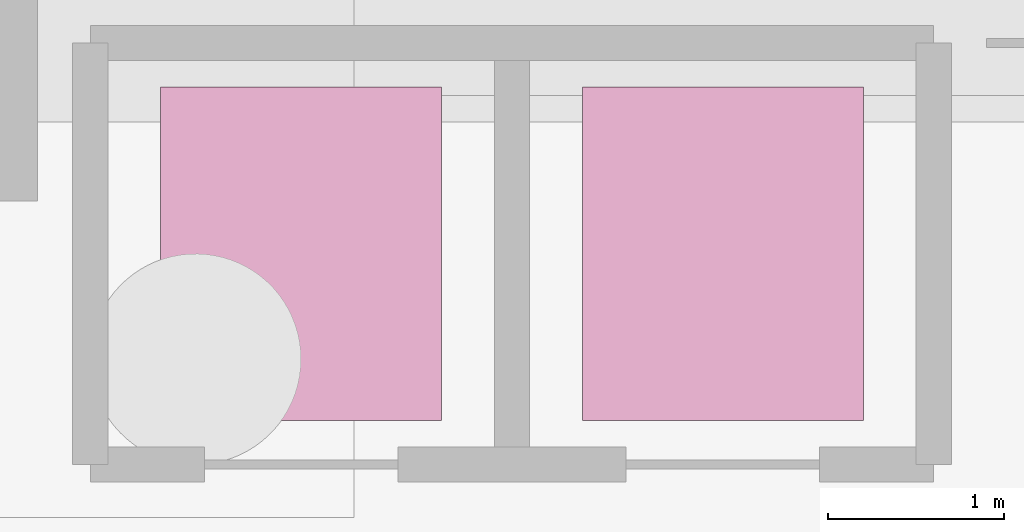
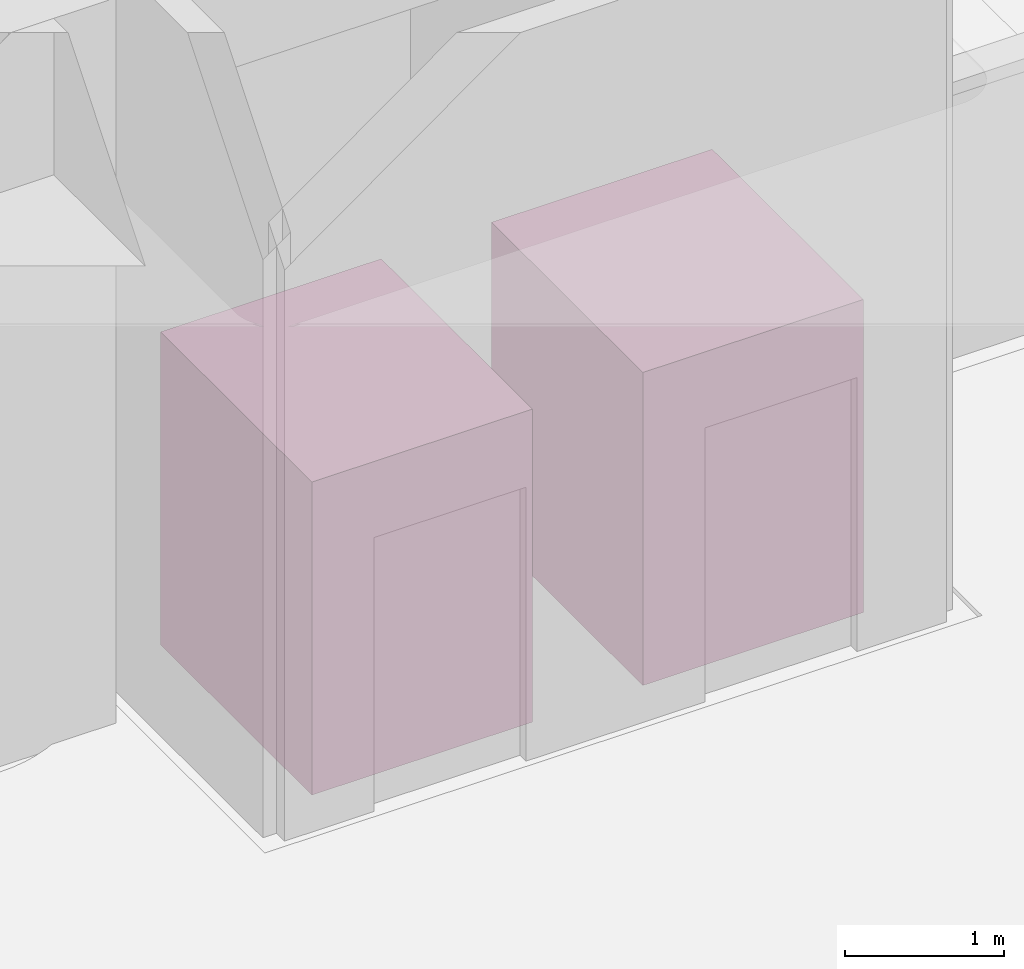
# One storey, part 13 of 13: 2 transport elements.
"""IFC4 building model written with IfcOpenShell, lengths in metres."""

from ifc_helpers import new_model, si_unit, direction, frame, origin, origin_2d, place, context, subcontext, project, spatial, rectangle, extrude, source, transform, mapped, material, type_object, element, save


model = new_model("IFC4")

# Units and contexts
model_context = context("Model", 3, precision=1e-05, world=origin(), true_north=direction((0.0, 1.0)))
body_context = subcontext(model_context, "Body", "Model", "MODEL_VIEW")
ifc_project = project(units=[si_unit("LENGTHUNIT", "METRE"), si_unit("AREAUNIT", "SQUARE_METRE"), si_unit("VOLUMEUNIT", "CUBIC_METRE"), si_unit("PLANEANGLEUNIT", "RADIAN"), si_unit("MASSUNIT", "GRAM", prefix="KILO")], contexts=[model_context])

# Site, building, storey
site_placement = place(None, origin())
site = spatial("IfcSite", under=ifc_project, at=site_placement, CompositionType="ELEMENT")
building_placement = place(site_placement, origin())
building = spatial("IfcBuilding", under=site, at=building_placement, Name="Saffron Iwan Residences", CompositionType="ELEMENT")
storey_placement = place(building_placement, frame((0.0, 0.0, -11.39990234375)))
storey = spatial("IfcBuildingStorey", under=building, at=storey_placement, Name="B2", CompositionType="ELEMENT", Elevation=-11.39990234375)

# Transport elements
ifc_material = material(Name="Stainless steel 316", Category="steel")
transport_element_type = type_object("IfcTransportElementType", Name="Lift car 1600 x 1900", PredefinedType="ELEVATOR", material=ifc_material)
shared_shape = source(origin(), body_context, "Body", "SweptSolid", [
    extrude(rectangle(XDim=1.60009765625, YDim=1.89990234375, at=origin_2d()), origin(), (0.0, 0.0, 1.0), 2.39990234375),
])
for number, where, z_axis, x_axis, name in (
    (1, (60.0, 18.0, 0.0), (0.0, 0.0, 1.0), (1.0, 0.0, 0.0), "Lift SL1"),
    (2, (62.39990234375, 18.0, 0.0), (0.0, 0.0, 1.0), (1.0, 0.0, 0.0), "Lift SL2"),
):
    element("IfcTransportElement", number, at=place(storey_placement, frame(where, z_axis=z_axis, x_axis=x_axis)), inside=storey, type_object=transport_element_type, Name=name, PredefinedType="ELEVATOR", context=body_context, shape_type="MappedRepresentation", body=[
        mapped(shared_shape, transform((0.0, 0.0, 0.0))),
    ])

save(model, "model.ifc")
